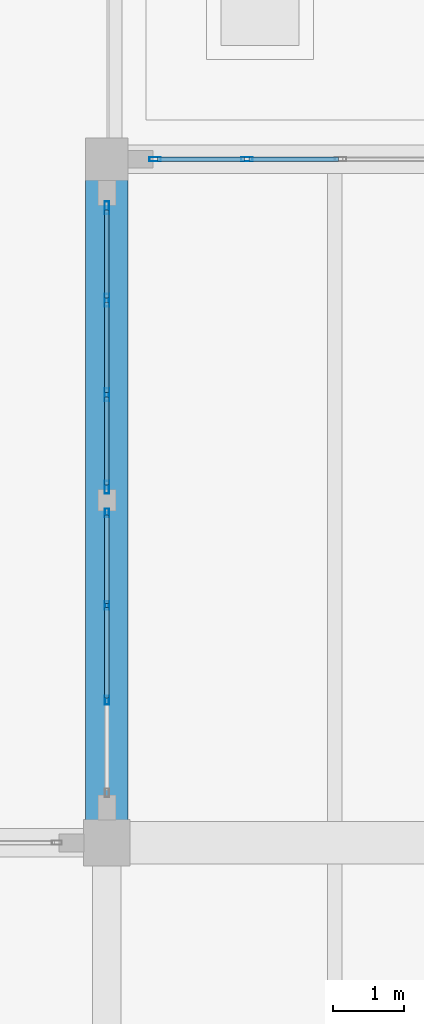
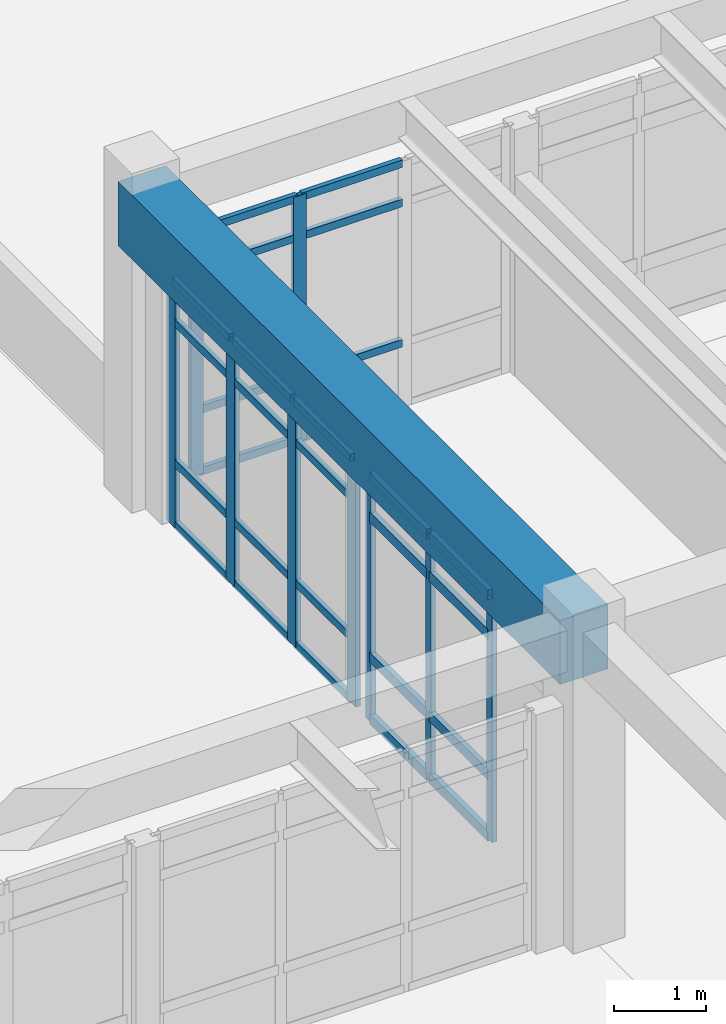
# One storey, part 36 of 109: 37 members, 1 beam, 3 elements without a shape of their own.
"""IFC4 building model written with IfcOpenShell, lengths in metres."""

from ifc_helpers import new_model, si_unit, direction, frame, origin, origin_2d, place, context, subcontext, project, spatial, rectangle, hollow_rectangle, extrude, material, layer, layer_set, material_profile, profile_set, type_object, element, aggregate, save


model = new_model("IFC4")

# Units and contexts
model_context = context("Model", 3, precision=1e-05, world=origin(), true_north=direction((0.0, 1.0)))
body_context = subcontext(model_context, "Body", "Model", "MODEL_VIEW")
ifc_project = project(units=[si_unit("LENGTHUNIT", "METRE"), si_unit("AREAUNIT", "SQUARE_METRE"), si_unit("VOLUMEUNIT", "CUBIC_METRE"), si_unit("PLANEANGLEUNIT", "RADIAN"), si_unit("MASSUNIT", "GRAM", prefix="KILO")], contexts=[model_context])

# Site, building, storey
site_placement = place(None, origin())
site = spatial("IfcSite", under=ifc_project, at=site_placement, CompositionType="ELEMENT")
building_placement = place(site_placement, origin())
building = spatial("IfcBuilding", under=site, at=building_placement, Name="Fikremerkos Civic Library", CompositionType="ELEMENT")
storey_placement = place(building_placement, frame((0.0, 0.0, 5.39990234375)))
storey = spatial("IfcBuildingStorey", under=building, at=storey_placement, Name="L01", CompositionType="ELEMENT", Elevation=5.39990234375)

# Curtain wall, members
ifc_material_1 = material(Name="Anodized aluminium Frame", Category="aluminium")
ifc_layer_1 = layer(ifc_material_1, 0.159912109375, Name="Anodized aluminium Frame")
ifc_layer_set_1 = layer_set([ifc_layer_1], Name="Anodized aluminium Frame")
curtain_wall_type_1 = type_object("IfcCurtainWallType", Name="Unitised curtain wall CW-13 3700x3200", PredefinedType="USERDEFINED", material=ifc_layer_set_1)
curtain_wall_1_placement = place(storey_placement, origin())
curtain_wall_1 = element("IfcCurtainWall", 1, at=curtain_wall_1_placement, inside=storey, type_object=curtain_wall_type_1, Name="Unitised curtain wall CW-13 L01 #103", ObjectType="UNITISED CURTAIN WALL", PredefinedType="USERDEFINED")
ifc_material_profile_1 = material_profile(ifc_material_1, hollow_rectangle(XDim=0.06494140625, YDim=0.179931640625, WallThickness=0.00439453125, at=origin_2d()), Name="ALU 180x65x4.5")
ifc_profile_set_1 = profile_set([ifc_material_profile_1], Name="Anodized aluminium Frame")
member_type_1 = type_object("IfcMemberType", Name="Curtain mullion CWM-01 ALU 180x65x4.5", PredefinedType="MULLION", material=ifc_profile_set_1)
member_1_placement = place(storey_placement, frame((124.800048828125, 36.195068359375, 0.0), z_axis=(0.0, 0.0, 1.0), x_axis=(-1.0, 0.0, 0.0)))
member_1 = element("IfcMember", 2, at=member_1_placement, type_object=member_type_1, Name="CW-13 mullion 1", PredefinedType="MULLION", context=body_context, shape_type="SweptSolid", body=[
    extrude(hollow_rectangle(XDim=0.06494140625, YDim=0.179931640625, WallThickness=0.00439453125, at=origin_2d()), origin(), (0.0, 0.0, 1.0), 3.260009765625),
])
member_2_placement = place(storey_placement, frame((124.800048828125, 37.492431640625, 0.0), z_axis=(0.0, 0.0, 1.0), x_axis=(-1.0, 0.0, 0.0)))
member_2 = element("IfcMember", 3, at=member_2_placement, type_object=member_type_1, Name="CW-13 mullion 2", PredefinedType="MULLION", context=body_context, shape_type="SweptSolid", body=[
    extrude(hollow_rectangle(XDim=0.06494140625, YDim=0.179931640625, WallThickness=0.00439453125, at=origin_2d()), origin(), (0.0, 0.0, 1.0), 3.260009765625),
])
member_3_placement = place(storey_placement, frame((124.800048828125, 38.822265625, 0.0), z_axis=(0.0, 0.0, 1.0), x_axis=(-1.0, 0.0, 0.0)))
member_3 = element("IfcMember", 4, at=member_3_placement, type_object=member_type_1, Name="CW-13 mullion 3", PredefinedType="MULLION", context=body_context, shape_type="SweptSolid", body=[
    extrude(hollow_rectangle(XDim=0.06494140625, YDim=0.179931640625, WallThickness=0.00439453125, at=origin_2d()), origin(), (0.0, 0.0, 1.0), 3.260009765625),
])
member_4_placement = place(storey_placement, frame((124.800048828125, 40.119384765625, 0.0), z_axis=(0.0, 0.0, 1.0), x_axis=(-1.0, 0.0, 0.0)))
member_4 = element("IfcMember", 5, at=member_4_placement, type_object=member_type_1, Name="CW-13 mullion 4", PredefinedType="MULLION", context=body_context, shape_type="SweptSolid", body=[
    extrude(hollow_rectangle(XDim=0.06494140625, YDim=0.179931640625, WallThickness=0.00439453125, at=origin_2d()), origin(), (0.0, 0.0, 1.0), 3.260009765625),
])

ifc_layer_2 = layer(ifc_material_1, 0.159912109375, Name="Anodized aluminium Frame")
ifc_layer_set_2 = layer_set([ifc_layer_2], Name="Anodized aluminium Frame")
curtain_wall_type_2 = type_object("IfcCurtainWallType", Name="Unitised curtain wall CW-14 4100x3200", PredefinedType="USERDEFINED", material=ifc_layer_set_2)
curtain_wall_2_placement = place(storey_placement, origin())
curtain_wall_2 = element("IfcCurtainWall", 6, at=curtain_wall_2_placement, inside=storey, type_object=curtain_wall_type_2, Name="Unitised curtain wall CW-14 L01 #104", ObjectType="UNITISED CURTAIN WALL", PredefinedType="USERDEFINED")
ifc_material_profile_2 = material_profile(ifc_material_1, hollow_rectangle(XDim=0.06005859375, YDim=0.159912109375, WallThickness=0.00390625, at=origin_2d()), Name="ALU 160x60x4")
ifc_profile_set_2 = profile_set([ifc_material_profile_2], Name="Anodized aluminium Frame")
member_type_2 = type_object("IfcMemberType", Name="Curtain mullion CWM-02 ALU 160x60x4", PredefinedType="MULLION", material=ifc_profile_set_2)
member_5_placement = place(storey_placement, frame((125.47802734375, 40.800048828125, 0.0), z_axis=(0.0, 0.0, 1.0), x_axis=(0.0, 1.0, 0.0)))
member_5 = element("IfcMember", 7, at=member_5_placement, type_object=member_type_2, Name="CW-14 mullion 1", PredefinedType="MULLION", context=body_context, shape_type="SweptSolid", body=[
    extrude(hollow_rectangle(XDim=0.06005859375, YDim=0.159912109375, WallThickness=0.00390625, at=origin_2d()), origin(), (0.0, 0.0, 1.0), 3.260009765625),
])
member_6_placement = place(storey_placement, frame((126.765380859375, 40.800048828125, 0.0), z_axis=(0.0, 0.0, 1.0), x_axis=(0.0, 1.0, 0.0)))
member_6 = element("IfcMember", 8, at=member_6_placement, type_object=member_type_2, Name="CW-14 mullion 2", PredefinedType="MULLION", context=body_context, shape_type="SweptSolid", body=[
    extrude(hollow_rectangle(XDim=0.06005859375, YDim=0.159912109375, WallThickness=0.00390625, at=origin_2d()), origin(), (0.0, 0.0, 1.0), 3.260009765625),
])

ifc_layer_3 = layer(ifc_material_1, 0.159912109375, Name="Anodized aluminium Frame")
ifc_layer_set_3 = layer_set([ifc_layer_3], Name="Anodized aluminium Frame")
curtain_wall_type_3 = type_object("IfcCurtainWallType", Name="Unitised curtain wall CW-12 4300x3400", PredefinedType="USERDEFINED", material=ifc_layer_set_3)
curtain_wall_3_placement = place(storey_placement, origin())
curtain_wall_3 = element("IfcCurtainWall", 9, at=curtain_wall_3_placement, inside=storey, type_object=curtain_wall_type_3, Name="Unitised curtain wall CW-12 L01 #102", ObjectType="UNITISED CURTAIN WALL", PredefinedType="USERDEFINED")
ifc_material_profile_3 = material_profile(ifc_material_1, hollow_rectangle(XDim=0.06005859375, YDim=0.1201171875, WallThickness=0.00390625, at=origin_2d()), Name="ALU 120x60x4")
ifc_profile_set_3 = profile_set([ifc_material_profile_3], Name="Anodized aluminium Frame")
member_type_3 = type_object("IfcMemberType", Name="Curtain mullion CWM-04 ALU 120x60x4", PredefinedType="MULLION", material=ifc_profile_set_3)
member_7_placement = place(storey_placement, frame((124.800048828125, 33.202880859375, 0.0), z_axis=(0.0, 0.0, 1.0), x_axis=(-1.0, 0.0, 0.0)))
member_7 = element("IfcMember", 10, at=member_7_placement, type_object=member_type_3, Name="CW-12 mullion 2", PredefinedType="MULLION", context=body_context, shape_type="SweptSolid", body=[
    extrude(hollow_rectangle(XDim=0.06005859375, YDim=0.1201171875, WallThickness=0.00390625, at=origin_2d()), origin(), (0.0, 0.0, 1.0), 3.260009765625),
])
member_8_placement = place(storey_placement, frame((124.800048828125, 34.53271484375, 0.0), z_axis=(0.0, 0.0, 1.0), x_axis=(-1.0, 0.0, 0.0)))
member_8 = element("IfcMember", 11, at=member_8_placement, type_object=member_type_3, Name="CW-12 mullion 3", PredefinedType="MULLION", context=body_context, shape_type="SweptSolid", body=[
    extrude(hollow_rectangle(XDim=0.06005859375, YDim=0.1201171875, WallThickness=0.00390625, at=origin_2d()), origin(), (0.0, 0.0, 1.0), 3.260009765625),
])
member_9_placement = place(storey_placement, frame((124.800048828125, 35.83251953125, 0.0), z_axis=(0.0, 0.0, 1.0), x_axis=(-1.0, 0.0, 0.0)))
member_9 = element("IfcMember", 12, at=member_9_placement, type_object=member_type_3, Name="CW-12 mullion 4", PredefinedType="MULLION", context=body_context, shape_type="SweptSolid", body=[
    extrude(hollow_rectangle(XDim=0.06005859375, YDim=0.1201171875, WallThickness=0.00390625, at=origin_2d()), origin(), (0.0, 0.0, 1.0), 3.260009765625),
])
ifc_material_profile_4 = material_profile(ifc_material_1, hollow_rectangle(XDim=0.06494140625, YDim=0.135009765625, WallThickness=0.00439453125, at=origin_2d()), Name="ALU 135x65x4.5")
ifc_profile_set_4 = profile_set([ifc_material_profile_4], Name="Anodized aluminium Frame")
member_type_4 = type_object("IfcMemberType", Name="Curtain transom CWT-02 ALU 135x65x4.5", PredefinedType="USERDEFINED", material=ifc_profile_set_4)
member_10_placement = place(storey_placement, frame((124.800048828125, 33.23291015625, 0.03271484375), z_axis=(0.0, 1.0, 0.0), x_axis=(-1.0, 0.0, 0.0)))
member_10 = element("IfcMember", 13, at=member_10_placement, type_object=member_type_4, Name="CW-12 transom 2.1", ObjectType="TRANSOM", PredefinedType="USERDEFINED", context=body_context, shape_type="SweptSolid", body=[
    extrude(hollow_rectangle(XDim=0.06494140625, YDim=0.135009765625, WallThickness=0.00439453125, at=origin_2d()), origin(), (0.0, 0.0, 1.0), 1.269775390625),
])
member_11_placement = place(storey_placement, frame((124.800048828125, 33.23291015625, 0.85009765625), z_axis=(0.0, 1.0, 0.0), x_axis=(-1.0, 0.0, 0.0)))
member_11 = element("IfcMember", 14, at=member_11_placement, type_object=member_type_4, Name="CW-12 transom 2.2", ObjectType="TRANSOM", PredefinedType="USERDEFINED", context=body_context, shape_type="SweptSolid", body=[
    extrude(hollow_rectangle(XDim=0.06494140625, YDim=0.135009765625, WallThickness=0.00439453125, at=origin_2d()), origin(), (0.0, 0.0, 1.0), 1.269775390625),
])
member_12_placement = place(storey_placement, frame((124.800048828125, 33.23291015625, 2.710205078125), z_axis=(0.0, 1.0, 0.0), x_axis=(-1.0, 0.0, 0.0)))
member_12 = element("IfcMember", 15, at=member_12_placement, type_object=member_type_4, Name="CW-12 transom 2.3", ObjectType="TRANSOM", PredefinedType="USERDEFINED", context=body_context, shape_type="SweptSolid", body=[
    extrude(hollow_rectangle(XDim=0.06494140625, YDim=0.135009765625, WallThickness=0.00439453125, at=origin_2d()), origin(), (0.0, 0.0, 1.0), 1.269775390625),
])
member_13_placement = place(storey_placement, frame((124.800048828125, 33.23291015625, 3.2275390625), z_axis=(0.0, 1.0, 0.0), x_axis=(-1.0, 0.0, 0.0)))
member_13 = element("IfcMember", 16, at=member_13_placement, type_object=member_type_4, Name="CW-12 transom 2.4", ObjectType="TRANSOM", PredefinedType="USERDEFINED", context=body_context, shape_type="SweptSolid", body=[
    extrude(hollow_rectangle(XDim=0.06494140625, YDim=0.135009765625, WallThickness=0.00439453125, at=origin_2d()), origin(), (0.0, 0.0, 1.0), 1.269775390625),
])
member_14_placement = place(storey_placement, frame((124.800048828125, 34.562744140625, 0.03271484375), z_axis=(0.0, 1.0, 0.0), x_axis=(-1.0, 0.0, 0.0)))
member_14 = element("IfcMember", 17, at=member_14_placement, type_object=member_type_4, Name="CW-12 transom 3.1", ObjectType="TRANSOM", PredefinedType="USERDEFINED", context=body_context, shape_type="SweptSolid", body=[
    extrude(hollow_rectangle(XDim=0.06494140625, YDim=0.135009765625, WallThickness=0.00439453125, at=origin_2d()), origin(), (0.0, 0.0, 1.0), 1.23974609375),
])
member_15_placement = place(storey_placement, frame((124.800048828125, 34.562744140625, 0.85009765625), z_axis=(0.0, 1.0, 0.0), x_axis=(-1.0, 0.0, 0.0)))
member_15 = element("IfcMember", 18, at=member_15_placement, type_object=member_type_4, Name="CW-12 transom 3.2", ObjectType="TRANSOM", PredefinedType="USERDEFINED", context=body_context, shape_type="SweptSolid", body=[
    extrude(hollow_rectangle(XDim=0.06494140625, YDim=0.135009765625, WallThickness=0.00439453125, at=origin_2d()), origin(), (0.0, 0.0, 1.0), 1.23974609375),
])
member_16_placement = place(storey_placement, frame((124.800048828125, 34.562744140625, 2.710205078125), z_axis=(0.0, 1.0, 0.0), x_axis=(-1.0, 0.0, 0.0)))
member_16 = element("IfcMember", 19, at=member_16_placement, type_object=member_type_4, Name="CW-12 transom 3.3", ObjectType="TRANSOM", PredefinedType="USERDEFINED", context=body_context, shape_type="SweptSolid", body=[
    extrude(hollow_rectangle(XDim=0.06494140625, YDim=0.135009765625, WallThickness=0.00439453125, at=origin_2d()), origin(), (0.0, 0.0, 1.0), 1.23974609375),
])
member_17_placement = place(storey_placement, frame((124.800048828125, 34.562744140625, 3.2275390625), z_axis=(0.0, 1.0, 0.0), x_axis=(-1.0, 0.0, 0.0)))
member_17 = element("IfcMember", 20, at=member_17_placement, type_object=member_type_4, Name="CW-12 transom 3.4", ObjectType="TRANSOM", PredefinedType="USERDEFINED", context=body_context, shape_type="SweptSolid", body=[
    extrude(hollow_rectangle(XDim=0.06494140625, YDim=0.135009765625, WallThickness=0.00439453125, at=origin_2d()), origin(), (0.0, 0.0, 1.0), 1.23974609375),
])
aggregate(curtain_wall_3, [member_7, member_8, member_9, member_10, member_11, member_12, member_13, member_14, member_15, member_16, member_17])

# Member
ifc_material_profile_5 = material_profile(ifc_material_1, hollow_rectangle(XDim=0.06005859375, YDim=0.10009765625, WallThickness=0.00390625, at=origin_2d()), Name="ALU 100x60x4")
ifc_profile_set_5 = profile_set([ifc_material_profile_5], Name="Anodized aluminium Frame")
member_type_5 = type_object("IfcMemberType", Name="Curtain transom CWT-03 ALU 100x60x4", PredefinedType="USERDEFINED", material=ifc_profile_set_5)
member_18_placement = place(storey_placement, frame((124.800048828125, 36.2275390625, 0.030029296875), z_axis=(0.0, 1.0, 0.0), x_axis=(-1.0, 0.0, 0.0)))
member_18 = element("IfcMember", 21, at=member_18_placement, type_object=member_type_5, Name="CW-13 transom 1.1", ObjectType="TRANSOM", PredefinedType="USERDEFINED", context=body_context, shape_type="SweptSolid", body=[
    extrude(hollow_rectangle(XDim=0.06005859375, YDim=0.10009765625, WallThickness=0.00390625, at=origin_2d()), origin(), (0.0, 0.0, 1.0), 1.232177734375),
])

member_19_placement = place(storey_placement, frame((124.800048828125, 36.2275390625, 0.85009765625), z_axis=(0.0, 1.0, 0.0), x_axis=(-1.0, 0.0, 0.0)))
member_19 = element("IfcMember", 22, at=member_19_placement, type_object=member_type_5, Name="CW-13 transom 1.2", ObjectType="TRANSOM", PredefinedType="USERDEFINED", context=body_context, shape_type="SweptSolid", body=[
    extrude(hollow_rectangle(XDim=0.06005859375, YDim=0.10009765625, WallThickness=0.00390625, at=origin_2d()), origin(), (0.0, 0.0, 1.0), 1.232177734375),
])

member_20_placement = place(storey_placement, frame((124.800048828125, 36.2275390625, 2.710205078125), z_axis=(0.0, 1.0, 0.0), x_axis=(-1.0, 0.0, 0.0)))
member_20 = element("IfcMember", 23, at=member_20_placement, type_object=member_type_5, Name="CW-13 transom 1.3", ObjectType="TRANSOM", PredefinedType="USERDEFINED", context=body_context, shape_type="SweptSolid", body=[
    extrude(hollow_rectangle(XDim=0.06005859375, YDim=0.10009765625, WallThickness=0.00390625, at=origin_2d()), origin(), (0.0, 0.0, 1.0), 1.232177734375),
])

member_21_placement = place(storey_placement, frame((124.800048828125, 36.2275390625, 3.22998046875), z_axis=(0.0, 1.0, 0.0), x_axis=(-1.0, 0.0, 0.0)))
member_21 = element("IfcMember", 24, at=member_21_placement, type_object=member_type_5, Name="CW-13 transom 1.4", ObjectType="TRANSOM", PredefinedType="USERDEFINED", context=body_context, shape_type="SweptSolid", body=[
    extrude(hollow_rectangle(XDim=0.06005859375, YDim=0.10009765625, WallThickness=0.00390625, at=origin_2d()), origin(), (0.0, 0.0, 1.0), 1.232177734375),
])

member_22_placement = place(storey_placement, frame((124.800048828125, 37.52490234375, 0.030029296875), z_axis=(0.0, 1.0, 0.0), x_axis=(-1.0, 0.0, 0.0)))
member_22 = element("IfcMember", 25, at=member_22_placement, type_object=member_type_5, Name="CW-13 transom 2.1", ObjectType="TRANSOM", PredefinedType="USERDEFINED", context=body_context, shape_type="SweptSolid", body=[
    extrude(hollow_rectangle(XDim=0.06005859375, YDim=0.10009765625, WallThickness=0.00390625, at=origin_2d()), origin(), (0.0, 0.0, 1.0), 1.2646484375),
])

member_23_placement = place(storey_placement, frame((124.800048828125, 37.52490234375, 0.85009765625), z_axis=(0.0, 1.0, 0.0), x_axis=(-1.0, 0.0, 0.0)))
member_23 = element("IfcMember", 26, at=member_23_placement, type_object=member_type_5, Name="CW-13 transom 2.2", ObjectType="TRANSOM", PredefinedType="USERDEFINED", context=body_context, shape_type="SweptSolid", body=[
    extrude(hollow_rectangle(XDim=0.06005859375, YDim=0.10009765625, WallThickness=0.00390625, at=origin_2d()), origin(), (0.0, 0.0, 1.0), 1.2646484375),
])

member_24_placement = place(storey_placement, frame((124.800048828125, 37.52490234375, 2.710205078125), z_axis=(0.0, 1.0, 0.0), x_axis=(-1.0, 0.0, 0.0)))
member_24 = element("IfcMember", 27, at=member_24_placement, type_object=member_type_5, Name="CW-13 transom 2.3", ObjectType="TRANSOM", PredefinedType="USERDEFINED", context=body_context, shape_type="SweptSolid", body=[
    extrude(hollow_rectangle(XDim=0.06005859375, YDim=0.10009765625, WallThickness=0.00390625, at=origin_2d()), origin(), (0.0, 0.0, 1.0), 1.2646484375),
])

member_25_placement = place(storey_placement, frame((124.800048828125, 37.52490234375, 3.22998046875), z_axis=(0.0, 1.0, 0.0), x_axis=(-1.0, 0.0, 0.0)))
member_25 = element("IfcMember", 28, at=member_25_placement, type_object=member_type_5, Name="CW-13 transom 2.4", ObjectType="TRANSOM", PredefinedType="USERDEFINED", context=body_context, shape_type="SweptSolid", body=[
    extrude(hollow_rectangle(XDim=0.06005859375, YDim=0.10009765625, WallThickness=0.00390625, at=origin_2d()), origin(), (0.0, 0.0, 1.0), 1.2646484375),
])

member_26_placement = place(storey_placement, frame((124.800048828125, 38.854736328125, 0.030029296875), z_axis=(0.0, 1.0, 0.0), x_axis=(-1.0, 0.0, 0.0)))
member_26 = element("IfcMember", 29, at=member_26_placement, type_object=member_type_5, Name="CW-13 transom 3.1", ObjectType="TRANSOM", PredefinedType="USERDEFINED", context=body_context, shape_type="SweptSolid", body=[
    extrude(hollow_rectangle(XDim=0.06005859375, YDim=0.10009765625, WallThickness=0.00390625, at=origin_2d()), origin(), (0.0, 0.0, 1.0), 1.232177734375),
])

member_27_placement = place(storey_placement, frame((124.800048828125, 38.854736328125, 0.85009765625), z_axis=(0.0, 1.0, 0.0), x_axis=(-1.0, 0.0, 0.0)))
member_27 = element("IfcMember", 30, at=member_27_placement, type_object=member_type_5, Name="CW-13 transom 3.2", ObjectType="TRANSOM", PredefinedType="USERDEFINED", context=body_context, shape_type="SweptSolid", body=[
    extrude(hollow_rectangle(XDim=0.06005859375, YDim=0.10009765625, WallThickness=0.00390625, at=origin_2d()), origin(), (0.0, 0.0, 1.0), 1.232177734375),
])

member_28_placement = place(storey_placement, frame((124.800048828125, 38.854736328125, 2.710205078125), z_axis=(0.0, 1.0, 0.0), x_axis=(-1.0, 0.0, 0.0)))
member_28 = element("IfcMember", 31, at=member_28_placement, type_object=member_type_5, Name="CW-13 transom 3.3", ObjectType="TRANSOM", PredefinedType="USERDEFINED", context=body_context, shape_type="SweptSolid", body=[
    extrude(hollow_rectangle(XDim=0.06005859375, YDim=0.10009765625, WallThickness=0.00390625, at=origin_2d()), origin(), (0.0, 0.0, 1.0), 1.232177734375),
])

member_29_placement = place(storey_placement, frame((124.800048828125, 38.854736328125, 3.22998046875), z_axis=(0.0, 1.0, 0.0), x_axis=(-1.0, 0.0, 0.0)))
member_29 = element("IfcMember", 32, at=member_29_placement, type_object=member_type_5, Name="CW-13 transom 3.4", ObjectType="TRANSOM", PredefinedType="USERDEFINED", context=body_context, shape_type="SweptSolid", body=[
    extrude(hollow_rectangle(XDim=0.06005859375, YDim=0.10009765625, WallThickness=0.00390625, at=origin_2d()), origin(), (0.0, 0.0, 1.0), 1.232177734375),
])

aggregate(curtain_wall_1, [member_1, member_2, member_3, member_4, member_18, member_19, member_20, member_21, member_22, member_23, member_24, member_25, member_26, member_27, member_28, member_29])

member_30_placement = place(storey_placement, frame((125.508056640625, 40.800048828125, 0.030029296875), z_axis=(1.0, 0.0, 0.0), x_axis=(0.0, 1.0, 0.0)))
member_30 = element("IfcMember", 33, at=member_30_placement, type_object=member_type_5, Name="CW-14 transom 1.1", ObjectType="TRANSOM", PredefinedType="USERDEFINED", context=body_context, shape_type="SweptSolid", body=[
    extrude(hollow_rectangle(XDim=0.06005859375, YDim=0.10009765625, WallThickness=0.00390625, at=origin_2d()), origin(), (0.0, 0.0, 1.0), 1.227294921875),
])

member_31_placement = place(storey_placement, frame((125.508056640625, 40.800048828125, 0.85009765625), z_axis=(1.0, 0.0, 0.0), x_axis=(0.0, 1.0, 0.0)))
member_31 = element("IfcMember", 34, at=member_31_placement, type_object=member_type_5, Name="CW-14 transom 1.2", ObjectType="TRANSOM", PredefinedType="USERDEFINED", context=body_context, shape_type="SweptSolid", body=[
    extrude(hollow_rectangle(XDim=0.06005859375, YDim=0.10009765625, WallThickness=0.00390625, at=origin_2d()), origin(), (0.0, 0.0, 1.0), 1.227294921875),
])

member_32_placement = place(storey_placement, frame((125.508056640625, 40.800048828125, 2.710205078125), z_axis=(1.0, 0.0, 0.0), x_axis=(0.0, 1.0, 0.0)))
member_32 = element("IfcMember", 35, at=member_32_placement, type_object=member_type_5, Name="CW-14 transom 1.3", ObjectType="TRANSOM", PredefinedType="USERDEFINED", context=body_context, shape_type="SweptSolid", body=[
    extrude(hollow_rectangle(XDim=0.06005859375, YDim=0.10009765625, WallThickness=0.00390625, at=origin_2d()), origin(), (0.0, 0.0, 1.0), 1.227294921875),
])

member_33_placement = place(storey_placement, frame((125.508056640625, 40.800048828125, 3.22998046875), z_axis=(1.0, 0.0, 0.0), x_axis=(0.0, 1.0, 0.0)))
member_33 = element("IfcMember", 36, at=member_33_placement, type_object=member_type_5, Name="CW-14 transom 1.4", ObjectType="TRANSOM", PredefinedType="USERDEFINED", context=body_context, shape_type="SweptSolid", body=[
    extrude(hollow_rectangle(XDim=0.06005859375, YDim=0.10009765625, WallThickness=0.00390625, at=origin_2d()), origin(), (0.0, 0.0, 1.0), 1.227294921875),
])

member_34_placement = place(storey_placement, frame((126.79541015625, 40.800048828125, 0.030029296875), z_axis=(1.0, 0.0, 0.0), x_axis=(0.0, 1.0, 0.0)))
member_34 = element("IfcMember", 37, at=member_34_placement, type_object=member_type_5, Name="CW-14 transom 2.1", ObjectType="TRANSOM", PredefinedType="USERDEFINED", context=body_context, shape_type="SweptSolid", body=[
    extrude(hollow_rectangle(XDim=0.06005859375, YDim=0.10009765625, WallThickness=0.00390625, at=origin_2d()), origin(), (0.0, 0.0, 1.0), 1.25732421875),
])

member_35_placement = place(storey_placement, frame((126.79541015625, 40.800048828125, 0.85009765625), z_axis=(1.0, 0.0, 0.0), x_axis=(0.0, 1.0, 0.0)))
member_35 = element("IfcMember", 38, at=member_35_placement, type_object=member_type_5, Name="CW-14 transom 2.2", ObjectType="TRANSOM", PredefinedType="USERDEFINED", context=body_context, shape_type="SweptSolid", body=[
    extrude(hollow_rectangle(XDim=0.06005859375, YDim=0.10009765625, WallThickness=0.00390625, at=origin_2d()), origin(), (0.0, 0.0, 1.0), 1.25732421875),
])

member_36_placement = place(storey_placement, frame((126.79541015625, 40.800048828125, 2.710205078125), z_axis=(1.0, 0.0, 0.0), x_axis=(0.0, 1.0, 0.0)))
member_36 = element("IfcMember", 39, at=member_36_placement, type_object=member_type_5, Name="CW-14 transom 2.3", ObjectType="TRANSOM", PredefinedType="USERDEFINED", context=body_context, shape_type="SweptSolid", body=[
    extrude(hollow_rectangle(XDim=0.06005859375, YDim=0.10009765625, WallThickness=0.00390625, at=origin_2d()), origin(), (0.0, 0.0, 1.0), 1.25732421875),
])

member_37_placement = place(storey_placement, frame((126.79541015625, 40.800048828125, 3.22998046875), z_axis=(1.0, 0.0, 0.0), x_axis=(0.0, 1.0, 0.0)))
member_37 = element("IfcMember", 40, at=member_37_placement, type_object=member_type_5, Name="CW-14 transom 2.4", ObjectType="TRANSOM", PredefinedType="USERDEFINED", context=body_context, shape_type="SweptSolid", body=[
    extrude(hollow_rectangle(XDim=0.06005859375, YDim=0.10009765625, WallThickness=0.00390625, at=origin_2d()), origin(), (0.0, 0.0, 1.0), 1.25732421875),
])

aggregate(curtain_wall_2, [member_5, member_6, member_30, member_31, member_32, member_33, member_34, member_35, member_36, member_37])

# Beam
ifc_material_2 = material(Name="Concrete C40/50", Category="concrete")
ifc_material_profile_6 = material_profile(ifc_material_2, rectangle(XDim=0.60009765625, YDim=0.85009765625, at=origin_2d()), Name="RC 600x850")
ifc_profile_set_6 = profile_set([ifc_material_profile_6], Name="Concrete C40/50")
beam_type = type_object("IfcBeamType", Name="Primary girder BM-24 RC 600x850", PredefinedType="BEAM", material=ifc_profile_set_6)
beam_placement = place(storey_placement, frame((124.800048828125, 31.199951171875, 3.795166015625), z_axis=(0.0, 1.0, 0.0), x_axis=(-1.0, 0.0, 0.0)))
element("IfcBeam", 41, at=beam_placement, inside=storey, type_object=beam_type, Name="Primary girder BM-24 L01 grid 11", PredefinedType="BEAM", context=body_context, shape_type="SweptSolid", body=[
    extrude(rectangle(XDim=0.60009765625, YDim=0.85009765625, at=origin_2d()), origin(), (0.0, 0.0, 1.0), 9.60009765625),
])

save(model, "model.ifc")
